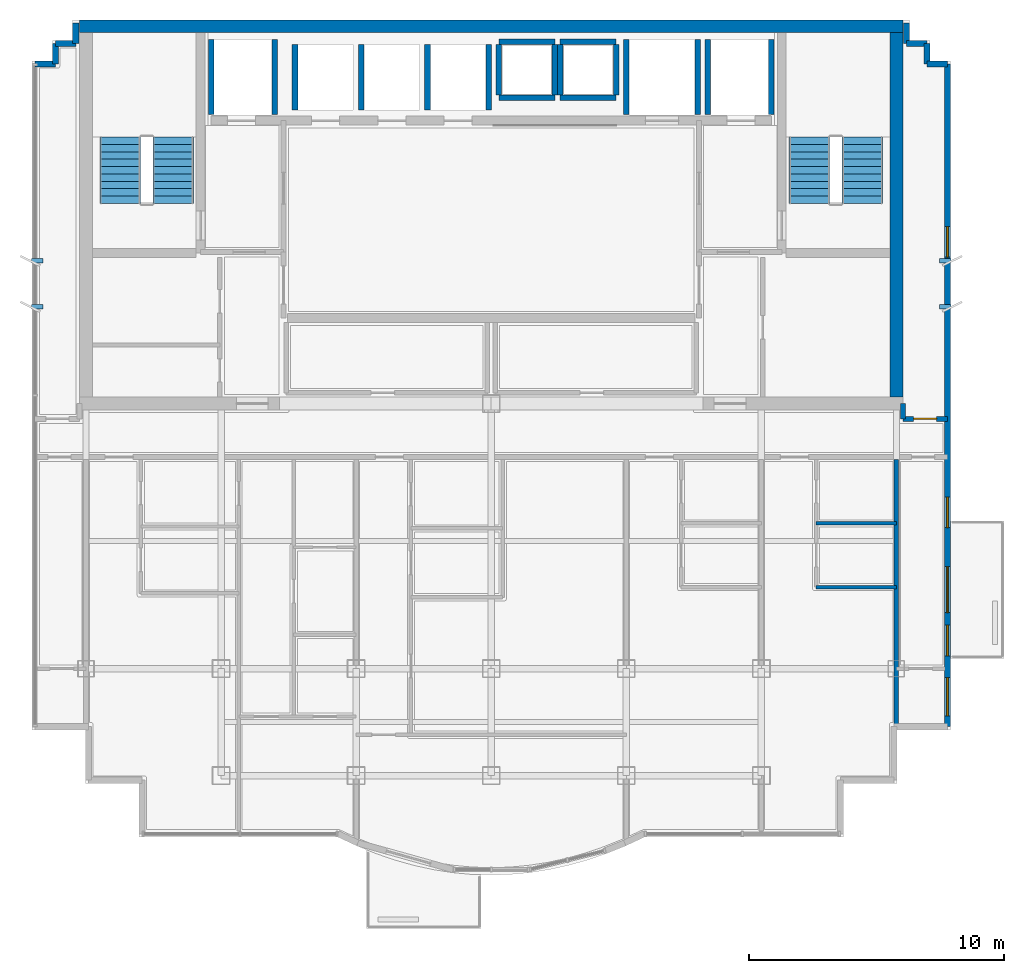
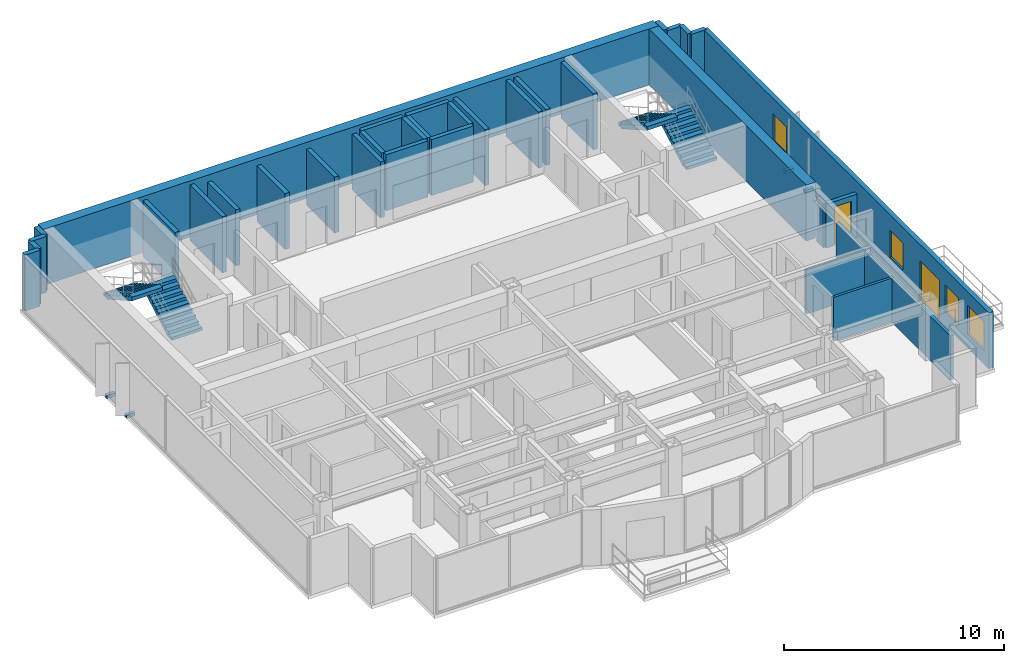
# One storey, part 7 of 9: 34 walls, 4 discrete accessories, 4 stair flights, 4 windows, 2 doors, 6 openings, 2 elements without a shape of their own.
"""IFC4 building model written with IfcOpenShell, lengths in metres."""

from ifc_helpers import new_model, si_unit, direction, frame, frame_2d, origin, origin_2d, place, context, subcontext, project, spatial, polyline, rectangle, outline, extrude, source, transform, mapped, material, layer, layer_set, type_object, element, fill, aggregate, save


model = new_model("IFC4")

# Units and contexts
model_context = context("Model", 3, precision=1e-05, world=origin(), true_north=direction((0.0, 1.0)))
body_context = subcontext(model_context, "Body", "Model", "MODEL_VIEW")
ifc_project = project(units=[si_unit("LENGTHUNIT", "METRE"), si_unit("AREAUNIT", "SQUARE_METRE"), si_unit("VOLUMEUNIT", "CUBIC_METRE"), si_unit("PLANEANGLEUNIT", "RADIAN"), si_unit("MASSUNIT", "GRAM", prefix="KILO")], contexts=[model_context])

# Site, building, storey
site_placement = place(None, origin())
site = spatial("IfcSite", under=ifc_project, at=site_placement, CompositionType="ELEMENT")
building_placement = place(site_placement, origin())
building = spatial("IfcBuilding", under=site, at=building_placement, Name="Qianlan Lanfeng Residences", CompositionType="ELEMENT")
storey_placement = place(building_placement, frame((0.0, 0.0, 246.199951171875)))
storey = spatial("IfcBuildingStorey", under=building, at=storey_placement, Name="L68", CompositionType="ELEMENT", Elevation=246.199951171875)

# Walls
ifc_material_1 = material(Name="Concrete C70", Category="concrete")
ifc_layer_1 = layer(ifc_material_1, 0.5)
ifc_layer_set_1 = layer_set([ifc_layer_1], Name="Concrete C70")
wall_type_1 = type_object("IfcWallType", Name="CW-RC-500", PredefinedType="SHEAR", material=ifc_layer_set_1)
wall_1_placement = place(storey_placement, frame((10.35009765625, 40.0, 0.0), z_axis=(0.0, 0.0, 1.0), x_axis=(1.0, 0.0, 0.0)))
element("IfcWall", 1, at=wall_1_placement, inside=storey, type_object=wall_type_1, Name="L68 Core Shear Wall N", PredefinedType="SHEAR", context=body_context, shape_type="SweptSolid", body=[
    extrude(rectangle(XDim=32.2998046875, YDim=0.5, at=frame_2d((16.14990234375, 0.0))), origin(), (0.0, 0.0, 1.0), 3.110107421875),
])
wall_2_placement = place(storey_placement, frame((42.39990234375, 25.449951171875, 0.0), z_axis=(0.0, 0.0, 1.0), x_axis=(0.0, 1.0, 0.0)))
element("IfcWall", 2, at=wall_2_placement, inside=storey, type_object=wall_type_1, Name="L68 Core Shear Wall E", PredefinedType="SHEAR", context=body_context, shape_type="SweptSolid", body=[
    extrude(rectangle(XDim=14.300048828125, YDim=0.5, at=frame_2d((7.14990234375, 0.0))), origin(), (0.0, 0.0, 1.0), 3.110107421875),
])

# Wall, openings, door, windows
ifc_material_2 = material(Name="Concrete C42", Category="concrete")
ifc_layer_2 = layer(ifc_material_2, 0.239990234375)
ifc_layer_set_2 = layer_set([ifc_layer_2], Name="Concrete C42")
wall_type_2 = type_object("IfcWallType", Name="EW-240", PredefinedType="SOLIDWALL", material=ifc_layer_set_2)
wall_3_placement = place(storey_placement, frame((44.39990234375, 12.52001953125, 0.0), z_axis=(0.0, 0.0, 1.0), x_axis=(0.0, 1.0, 0.0)))
wall_3 = element("IfcWall", 3, at=wall_3_placement, inside=storey, type_object=wall_type_2, Name="L68 Terrace/Balcony Access Exterior Wall 13", PredefinedType="SOLIDWALL", context=body_context, shape_type="SweptSolid", body=[
    extrude(rectangle(XDim=26.010009765625, YDim=0.239990234375, at=frame_2d((13.0048828125, 0.0))), origin(), (0.0, 0.0, 1.0), 3.110107421875),
])
opening_1_placement = place(wall_3_placement, frame((4.47998046875, 0.0, 0.0)))
opening_1 = element("IfcOpeningElement", 4, at=opening_1_placement, cuts=wall_3, Name="Opening L68-D-EB-S", PredefinedType="OPENING", context=body_context, shape_type="SweptSolid", body=[
    extrude(rectangle(XDim=1.800048828125, YDim=2.199951171875, at=frame_2d((0.89990234375, 1.10009765625))), frame((0.0, 0.1298828125, 0.0), z_axis=(0.0, -1.0, 0.0), x_axis=(1.0, 0.0, 0.0)), (0.0, 0.0, 1.0), 0.260009765625),
])
opening_2_placement = place(wall_3_placement, frame((0.426025390625, 0.0, 0.75)))
opening_2 = element("IfcOpeningElement", 5, at=opening_2_placement, cuts=wall_3, Name="Opening W-02", PredefinedType="OPENING", context=body_context, shape_type="SweptSolid", body=[
    extrude(rectangle(XDim=1.5, YDim=1.60009765625, at=frame_2d((0.75, 0.800048828125))), frame((0.0, 0.1298828125, 0.0), z_axis=(0.0, -1.0, 0.0), x_axis=(1.0, 0.0, 0.0)), (0.0, 0.0, 1.0), 0.260009765625),
])
opening_3_placement = place(wall_3_placement, frame((2.783935546875, 0.0, 0.75)))
opening_3 = element("IfcOpeningElement", 6, at=opening_3_placement, cuts=wall_3, Name="Opening W-03", PredefinedType="OPENING", context=body_context, shape_type="SweptSolid", body=[
    extrude(rectangle(XDim=1.199951171875, YDim=1.5, at=frame_2d((0.60009765625, 0.75))), frame((0.0, 0.1298828125, 0.0), z_axis=(0.0, -1.0, 0.0), x_axis=(1.0, 0.0, 0.0)), (0.0, 0.0, 1.0), 0.260009765625),
])
opening_4_placement = place(wall_3_placement, frame((7.81005859375, 0.0, 0.75)))
opening_4 = element("IfcOpeningElement", 7, at=opening_4_placement, cuts=wall_3, Name="Opening W-03", PredefinedType="OPENING", context=body_context, shape_type="SweptSolid", body=[
    extrude(rectangle(XDim=1.199951171875, YDim=1.5, at=frame_2d((0.60009765625, 0.75))), frame((0.0, 0.1298828125, 0.0), z_axis=(0.0, -1.0, 0.0), x_axis=(1.0, 0.0, 0.0)), (0.0, 0.0, 1.0), 0.260009765625),
])
opening_5_placement = place(wall_3_placement, frame((18.425048828125, 0.0, 0.75)))
opening_5 = element("IfcOpeningElement", 8, at=opening_5_placement, cuts=wall_3, Name="Opening W-03", PredefinedType="OPENING", context=body_context, shape_type="SweptSolid", body=[
    extrude(rectangle(XDim=1.199951171875, YDim=1.5, at=frame_2d((0.60009765625, 0.75))), frame((0.0, 0.1298828125, 0.0), z_axis=(0.0, -1.0, 0.0), x_axis=(1.0, 0.0, 0.0)), (0.0, 0.0, 1.0), 0.260009765625),
])
ifc_material_3 = material(Name="Anodised Bronze Aluminium Framed Glass", Category="aluminium")
door_type_1 = type_object("IfcDoorType", Name="DT-BAL1", OperationType="NOTDEFINED", PredefinedType="DOOR", material=ifc_material_3)
door_1_placement = place(opening_1_placement, frame((1.800048828125, 0.0, 0.0), z_axis=(0.0, 0.0, 1.0), x_axis=(-1.0, 0.0, 0.0)))
door_1 = element("IfcDoor", 9, at=door_1_placement, inside=storey, type_object=door_type_1, Name="L68 Exterior Access Door EB-S", OperationType="DOUBLE_DOOR_SLIDING", OverallHeight=2.199951171875, OverallWidth=1.800048828125, PredefinedType="DOOR", context=body_context, shape_type="SweptSolid", body=[
    extrude(rectangle(XDim=1.800048828125, YDim=2.199951171875, at=frame_2d((0.89990234375, 1.10009765625))), frame((0.0, 0.02490234375, 0.0), z_axis=(0.0, -1.0, 0.0), x_axis=(1.0, 0.0, 0.0)), (0.0, 0.0, 1.0), 0.050048828125),
])
fill(opening_1, door_1)
ifc_material_4 = material(Name="Anodised Bronze Aluminium Framed Double Glazing", Category="aluminium")
window_type_1 = type_object("IfcWindowType", Name="W-02", PartitioningType="SINGLE_PANEL", PredefinedType="WINDOW", material=ifc_material_4)
window_1_placement = place(opening_2_placement, origin())
window_1 = element("IfcWindow", 10, at=window_1_placement, inside=storey, type_object=window_type_1, Name="L68 Exterior Window W-06", OverallHeight=1.60009765625, OverallWidth=1.5, PartitioningType="SINGLE_PANEL", PredefinedType="WINDOW", context=body_context, shape_type="SweptSolid", body=[
    extrude(rectangle(XDim=1.5, YDim=1.60009765625, at=frame_2d((0.75, 0.800048828125))), frame((0.0, 0.030029296875, 0.0), z_axis=(0.0, -1.0, 0.0), x_axis=(1.0, 0.0, 0.0)), (0.0, 0.0, 1.0), 0.06005859375),
])
fill(opening_2, window_1)
window_type_2 = type_object("IfcWindowType", Name="W-03", PartitioningType="SINGLE_PANEL", PredefinedType="WINDOW", material=ifc_material_4)
window_2_placement = place(opening_3_placement, origin())
window_2 = element("IfcWindow", 11, at=window_2_placement, inside=storey, type_object=window_type_2, Name="L68 Facade Bay Window W-03", OverallHeight=1.5, OverallWidth=1.199951171875, PartitioningType="SINGLE_PANEL", PredefinedType="WINDOW", context=body_context, shape_type="SweptSolid", body=[
    extrude(rectangle(XDim=1.199951171875, YDim=1.5, at=frame_2d((0.60009765625, 0.75))), frame((0.0, 0.030029296875, 0.0), z_axis=(0.0, -1.0, 0.0), x_axis=(1.0, 0.0, 0.0)), (0.0, 0.0, 1.0), 0.06005859375),
])
fill(opening_3, window_2)
window_3_placement = place(opening_4_placement, origin())
window_3 = element("IfcWindow", 12, at=window_3_placement, inside=storey, type_object=window_type_2, Name="L68 Facade Bay Window W-03", OverallHeight=1.5, OverallWidth=1.199951171875, PartitioningType="SINGLE_PANEL", PredefinedType="WINDOW", context=body_context, shape_type="SweptSolid", body=[
    extrude(rectangle(XDim=1.199951171875, YDim=1.5, at=frame_2d((0.60009765625, 0.75))), frame((0.0, 0.030029296875, 0.0), z_axis=(0.0, -1.0, 0.0), x_axis=(1.0, 0.0, 0.0)), (0.0, 0.0, 1.0), 0.06005859375),
])
fill(opening_4, window_3)
window_4_placement = place(opening_5_placement, origin())
window_4 = element("IfcWindow", 13, at=window_4_placement, inside=storey, type_object=window_type_2, Name="L68 Facade Bay Window W-03", OverallHeight=1.5, OverallWidth=1.199951171875, PartitioningType="SINGLE_PANEL", PredefinedType="WINDOW", context=body_context, shape_type="SweptSolid", body=[
    extrude(rectangle(XDim=1.199951171875, YDim=1.5, at=frame_2d((0.60009765625, 0.75))), frame((0.0, 0.030029296875, 0.0), z_axis=(0.0, -1.0, 0.0), x_axis=(1.0, 0.0, 0.0)), (0.0, 0.0, 1.0), 0.06005859375),
])
fill(opening_5, window_4)

# Walls
wall_4_placement = place(storey_placement, frame((44.39990234375, 38.530029296875, 0.0), z_axis=(0.0, 0.0, 1.0), x_axis=(-1.0, 0.0, 0.0)))
element("IfcWall", 14, at=wall_4_placement, inside=storey, type_object=wall_type_2, Name="L68 Exterior Facade Spandrel Wall 14", PredefinedType="SOLIDWALL", context=body_context, shape_type="SweptSolid", body=[
    extrude(rectangle(XDim=0.7998046875, YDim=0.239990234375, at=frame_2d((0.39990234375, 0.0))), origin(), (0.0, 0.0, 1.0), 3.110107421875),
])
for number, where, z_axis, x_axis, name in (
    (15, (43.60009765625, 38.530029296875, 0.0), (0.0, 0.0, 1.0), (0.0, 1.0, 0.0), "L68 Exterior Facade Spandrel Wall 15"),
    (16, (43.60009765625, 39.330078125, 0.0), (0.0, 0.0, 1.0), (-1.0, 0.0, 0.0), "L68 Exterior Facade Spandrel Wall 16"),
):
    element("IfcWall", number, at=place(storey_placement, frame(where, z_axis=z_axis, x_axis=x_axis)), inside=storey, type_object=wall_type_2, Name=name, PredefinedType="SOLIDWALL", context=body_context, shape_type="SweptSolid", body=[
        extrude(rectangle(XDim=0.800048828125, YDim=0.239990234375, at=frame_2d((0.39990234375, 0.0))), origin(), (0.0, 0.0, 1.0), 3.110107421875),
    ])
for number, where, z_axis, x_axis, name in (
    (17, (42.800048828125, 39.330078125, 0.0), (0.0, 0.0, 1.0), (0.0, 1.0, 0.0), "L68 Exterior Facade Spandrel Wall 17"),
    (18, (10.199951171875, 40.1298828125, 0.0), (0.0, 0.0, 1.0), (0.0, -1.0, 0.0), "L68 Exterior Facade Spandrel Wall 18"),
):
    element("IfcWall", number, at=place(storey_placement, frame(where, z_axis=z_axis, x_axis=x_axis)), inside=storey, type_object=wall_type_2, Name=name, PredefinedType="SOLIDWALL", context=body_context, shape_type="SweptSolid", body=[
        extrude(rectangle(XDim=0.7998046875, YDim=0.239990234375, at=frame_2d((0.39990234375, 0.0))), origin(), (0.0, 0.0, 1.0), 3.110107421875),
    ])
for number, where, z_axis, x_axis, name in (
    (19, (10.199951171875, 39.330078125, 0.0), (0.0, 0.0, 1.0), (-1.0, 0.0, 0.0), "L68 Exterior Facade Spandrel Wall 19"),
    (20, (9.39990234375, 39.330078125, 0.0), (0.0, 0.0, 1.0), (0.0, -1.0, 0.0), "L68 Exterior Facade Spandrel Wall 20"),
):
    element("IfcWall", number, at=place(storey_placement, frame(where, z_axis=z_axis, x_axis=x_axis)), inside=storey, type_object=wall_type_2, Name=name, PredefinedType="SOLIDWALL", context=body_context, shape_type="SweptSolid", body=[
        extrude(rectangle(XDim=0.800048828125, YDim=0.239990234375, at=frame_2d((0.39990234375, 0.0))), origin(), (0.0, 0.0, 1.0), 3.110107421875),
    ])
wall_5_placement = place(storey_placement, frame((9.39990234375, 38.530029296875, 0.0), z_axis=(0.0, 0.0, 1.0), x_axis=(-1.0, 0.0, 0.0)))
element("IfcWall", 21, at=wall_5_placement, inside=storey, type_object=wall_type_2, Name="L68 Exterior Facade Spandrel Wall 21", PredefinedType="SOLIDWALL", context=body_context, shape_type="SweptSolid", body=[
    extrude(rectangle(XDim=0.7998046875, YDim=0.239990234375, at=frame_2d((0.39990234375, 0.0))), origin(), (0.0, 0.0, 1.0), 3.110107421875),
])
ifc_material_5 = material(Name="Moisture-Resistant Gypsum Partition 135 mm")
ifc_layer_3 = layer(ifc_material_5, 0.135009765625)
ifc_layer_set_3 = layer_set([ifc_layer_3], Name="Moisture-Resistant Gypsum Partition 135 mm")
wall_type_3 = type_object("IfcWallType", Name="PW-135", PredefinedType="PARTITIONING", material=ifc_layer_set_3)
for number, where, z_axis, x_axis, name in (
    (22, (39.25, 18.0, 0.0), (0.0, 0.0, 1.0), (1.0, 0.0, 0.0), "L68 U04 Kitchen South Wall"),
    (23, (39.25, 20.5, 0.0), (0.0, 0.0, 1.0), (1.0, 0.0, 0.0), "L68 U04 Bathroom South Wall"),
):
    element("IfcWall", number, at=place(storey_placement, frame(where, z_axis=z_axis, x_axis=x_axis)), inside=storey, type_object=wall_type_3, Name=name, PredefinedType="PARTITIONING", context=body_context, shape_type="SweptSolid", body=[
        extrude(rectangle(XDim=3.14990234375, YDim=0.135009765625, at=frame_2d((1.574951171875, 0.0))), origin(), (0.0, 0.0, 1.0), 2.449951171875),
    ])
ifc_material_6 = material(Name="Double-Layer Acoustic Gypsum Stud Wall 180 mm")
ifc_layer_4 = layer(ifc_material_6, 0.179931640625)
ifc_layer_set_4 = layer_set([ifc_layer_4], Name="Double-Layer Acoustic Gypsum Stud Wall 180 mm")
wall_type_4 = type_object("IfcWallType", Name="PW-180", PredefinedType="PARTITIONING", material=ifc_layer_set_4)
wall_6_placement = place(storey_placement, frame((42.39990234375, 12.6201171875, 0.0), z_axis=(0.0, 0.0, 1.0), x_axis=(0.0, 1.0, 0.0)))
element("IfcWall", 24, at=wall_6_placement, inside=storey, type_object=wall_type_4, Name="L68 Wing Boundary Party Wall E0", PredefinedType="PARTITIONING", context=body_context, shape_type="SweptSolid", body=[
    extrude(rectangle(XDim=10.3798828125, YDim=0.179931640625, at=frame_2d((5.18994140625, 0.0))), origin(), (0.0, 0.0, 1.0), 2.449951171875),
])

# Wall, opening, door
ifc_material_7 = material(Name="Autoclaved Aerated Concrete Blockwork 200 mm", Category="masonry")
ifc_layer_5 = layer(ifc_material_7, 0.199951171875)
ifc_layer_set_5 = layer_set([ifc_layer_5], Name="Autoclaved Aerated Concrete Blockwork 200 mm")
wall_type_5 = type_object("IfcWallType", Name="PW-200", PredefinedType="PARTITIONING", material=ifc_layer_set_5)
wall_7_placement = place(storey_placement, frame((42.64990234375, 24.60009765625, 0.0), z_axis=(0.0, 0.0, 1.0), x_axis=(1.0, 0.0, 0.0)))
wall_7 = element("IfcWall", 25, at=wall_7_placement, inside=storey, type_object=wall_type_5, Name="L68 Corridor NE Wall", PredefinedType="PARTITIONING", context=body_context, shape_type="SweptSolid", body=[
    extrude(rectangle(XDim=1.75, YDim=0.199951171875, at=frame_2d((0.875, 0.0))), origin(), (0.0, 0.0, 1.0), 2.449951171875),
])
opening_6_placement = place(wall_7_placement, frame((0.425048828125, 0.0, 0.0)))
opening_6 = element("IfcOpeningElement", 26, at=opening_6_placement, cuts=wall_7, Name="Opening L68-D40", PredefinedType="OPENING", context=body_context, shape_type="SweptSolid", body=[
    extrude(rectangle(XDim=0.89990234375, YDim=2.14990234375, at=frame_2d((0.449951171875, 1.074951171875))), frame((0.0, 0.10986328125, 0.0), z_axis=(0.0, -1.0, 0.0), x_axis=(1.0, 0.0, 0.0)), (0.0, 0.0, 1.0), 0.219970703125),
])
ifc_material_8 = material(Name="Moisture-Resistant Timber Leaf", Category="wood")
door_type_2 = type_object("IfcDoorType", Name="DT-WC", OperationType="NOTDEFINED", PredefinedType="DOOR", material=ifc_material_8)
door_2_placement = place(opening_6_placement, frame((0.89990234375, 0.0, 0.0), z_axis=(0.0, 0.0, 1.0), x_axis=(-1.0, 0.0, 0.0)))
door_2 = element("IfcDoor", 27, at=door_2_placement, inside=storey, type_object=door_type_2, Name="L68 EW Amenity Salon Door L68-D40 (DT-WC)", OperationType="SINGLE_SWING_LEFT", OverallHeight=2.14990234375, OverallWidth=0.89990234375, PredefinedType="DOOR", context=body_context, shape_type="SweptSolid", body=[
    extrude(rectangle(XDim=0.89990234375, YDim=2.14990234375, at=frame_2d((0.449951171875, 1.074951171875))), frame((0.0, 0.02490234375, 0.0), z_axis=(0.0, -1.0, 0.0), x_axis=(1.0, 0.0, 0.0)), (0.0, 0.0, 1.0), 0.050048828125),
])
fill(opening_6, door_2)

# Walls
wall_8_placement = place(storey_placement, frame((42.64990234375, 24.60009765625, 0.0), z_axis=(0.0, 0.0, 1.0), x_axis=(0.0, 1.0, 0.0)))
element("IfcWall", 28, at=wall_8_placement, inside=storey, type_object=wall_type_5, Name="L68 NE Wing Core Return Wall", PredefinedType="PARTITIONING", context=body_context, shape_type="SweptSolid", body=[
    extrude(rectangle(XDim=0.599853515625, YDim=0.199951171875, at=frame_2d((0.2998046875, 0.0))), origin(), (0.0, 0.0, 1.0), 2.449951171875),
])
ifc_material_9 = material(Name="Concrete C49", Category="concrete")
ifc_layer_6 = layer(ifc_material_9, 0.219970703125)
ifc_layer_set_6 = layer_set([ifc_layer_6], Name="Concrete C49")
wall_type_6 = type_object("IfcWallType", Name="SHW-220", PredefinedType="SOLIDWALL", material=ifc_layer_set_6)
for number, where, z_axis, x_axis, name in (
    (29, (15.52001953125, 36.550048828125, 0.0), (0.0, 0.0, 1.0), (0.0, 1.0, 0.0), "L68 Lift FFL-1 Shaft Wall W"),
    (30, (18.0, 36.550048828125, 0.0), (0.0, 0.0, 1.0), (0.0, 1.0, 0.0), "L68 Lift FFL-1 Shaft Wall E"),
    (31, (35.0, 36.550048828125, 0.0), (0.0, 0.0, 1.0), (0.0, 1.0, 0.0), "L68 Lift FFL-2 Shaft Wall W"),
    (32, (37.47998046875, 36.550048828125, 0.0), (0.0, 0.0, 1.0), (0.0, 1.0, 0.0), "L68 Lift FFL-2 Shaft Wall E"),
    (33, (31.800048828125, 36.550048828125, 0.0), (0.0, 0.0, 1.0), (0.0, 1.0, 0.0), "L68 Lift SVL-1 Shaft Wall W"),
    (34, (34.60009765625, 36.550048828125, 0.0), (0.0, 0.0, 1.0), (0.0, 1.0, 0.0), "L68 Lift SVL-1 Shaft Wall E"),
):
    element("IfcWall", number, at=place(storey_placement, frame(where, z_axis=z_axis, x_axis=x_axis)), inside=storey, type_object=wall_type_6, Name=name, PredefinedType="SOLIDWALL", context=body_context, shape_type="SweptSolid", body=[
        extrude(rectangle(XDim=2.929931640625, YDim=0.219970703125, at=frame_2d((1.46484375, 0.0))), origin(), (0.0, 0.0, 1.0), 3.110107421875),
    ])
for number, where, z_axis, x_axis, name in (
    (35, (18.800048828125, 36.719970703125, 0.0), (0.0, 0.0, 1.0), (0.0, 1.0, 0.0), "L68 Lift PL-H1 Shaft Wall W"),
    (36, (21.39990234375, 36.719970703125, 0.0), (0.0, 0.0, 1.0), (0.0, 1.0, 0.0), "L68 Lift PL-H2 Shaft Wall W"),
    (37, (24.0, 36.719970703125, 0.0), (0.0, 0.0, 1.0), (0.0, 1.0, 0.0), "L68 Lift PL-H3 Shaft Wall W"),
    (38, (26.39990234375, 36.719970703125, 0.0), (0.0, 0.0, 1.0), (0.0, 1.0, 0.0), "L68 Lift PL-H3 Shaft Wall E"),
):
    element("IfcWall", number, at=place(storey_placement, frame(where, z_axis=z_axis, x_axis=x_axis)), inside=storey, type_object=wall_type_6, Name=name, PredefinedType="SOLIDWALL", context=body_context, shape_type="SweptSolid", body=[
        extrude(rectangle(XDim=2.56005859375, YDim=0.219970703125, at=frame_2d((1.280029296875, 0.0))), origin(), (0.0, 0.0, 1.0), 3.110107421875),
    ])
for number, where, z_axis, x_axis, name in (
    (39, (26.800048828125, 37.31005859375, 0.0), (0.0, 0.0, 1.0), (0.0, 1.0, 0.0), "L68 MEP Riser MEP-R1 Shaft Wall W"),
    (40, (29.0, 37.31005859375, 0.0), (0.0, 0.0, 1.0), (0.0, 1.0, 0.0), "L68 MEP Riser MEP-R1 Shaft Wall E"),
):
    element("IfcWall", number, at=place(storey_placement, frame(where, z_axis=z_axis, x_axis=x_axis)), inside=storey, type_object=wall_type_6, Name=name, PredefinedType="SOLIDWALL", context=body_context, shape_type="SweptSolid", body=[
        extrude(rectangle(XDim=1.97998046875, YDim=0.219970703125, at=frame_2d((0.989990234375, 0.0))), origin(), (0.0, 0.0, 1.0), 3.110107421875),
    ])
for number, where, z_axis, x_axis, name in (
    (41, (26.800048828125, 39.39990234375, 0.0), (0.0, 0.0, 1.0), (1.0, 0.0, 0.0), "L68 MEP Riser MEP-R1 Shaft Wall N"),
    (42, (26.800048828125, 37.199951171875, 0.0), (0.0, 0.0, 1.0), (1.0, 0.0, 0.0), "L68 MEP Riser MEP-R1 Shaft Wall S"),
):
    element("IfcWall", number, at=place(storey_placement, frame(where, z_axis=z_axis, x_axis=x_axis)), inside=storey, type_object=wall_type_6, Name=name, PredefinedType="SOLIDWALL", context=body_context, shape_type="SweptSolid", body=[
        extrude(rectangle(XDim=2.199951171875, YDim=0.219970703125, at=frame_2d((1.10009765625, 0.0))), origin(), (0.0, 0.0, 1.0), 3.110107421875),
    ])
for number, where, z_axis, x_axis, name in (
    (43, (29.199951171875, 37.31005859375, 0.0), (0.0, 0.0, 1.0), (0.0, 1.0, 0.0), "L68 MEP Riser MEP-R2 Shaft Wall W"),
    (44, (31.39990234375, 37.31005859375, 0.0), (0.0, 0.0, 1.0), (0.0, 1.0, 0.0), "L68 MEP Riser MEP-R2 Shaft Wall E"),
):
    element("IfcWall", number, at=place(storey_placement, frame(where, z_axis=z_axis, x_axis=x_axis)), inside=storey, type_object=wall_type_6, Name=name, PredefinedType="SOLIDWALL", context=body_context, shape_type="SweptSolid", body=[
        extrude(rectangle(XDim=1.97998046875, YDim=0.219970703125, at=frame_2d((0.989990234375, 0.0))), origin(), (0.0, 0.0, 1.0), 3.110107421875),
    ])
for number, where, z_axis, x_axis, name in (
    (45, (29.199951171875, 39.39990234375, 0.0), (0.0, 0.0, 1.0), (1.0, 0.0, 0.0), "L68 MEP Riser MEP-R2 Shaft Wall N"),
    (46, (29.199951171875, 37.199951171875, 0.0), (0.0, 0.0, 1.0), (1.0, 0.0, 0.0), "L68 MEP Riser MEP-R2 Shaft Wall S"),
):
    element("IfcWall", number, at=place(storey_placement, frame(where, z_axis=z_axis, x_axis=x_axis)), inside=storey, type_object=wall_type_6, Name=name, PredefinedType="SOLIDWALL", context=body_context, shape_type="SweptSolid", body=[
        extrude(rectangle(XDim=2.199951171875, YDim=0.219970703125, at=frame_2d((1.10009765625, 0.0))), origin(), (0.0, 0.0, 1.0), 3.110107421875),
    ])

# Stair, stair flights
stair_type = type_object("IfcStairType", Name="STR-MAIN", PredefinedType="HALF_TURN_STAIR", material=ifc_material_2)
stair_1_placement = place(storey_placement, origin())
stair_1 = element("IfcStair", 47, at=stair_1_placement, inside=storey, type_object=stair_type, Name="L68 Exit Stair ST-1", PredefinedType="HALF_TURN_STAIR")
stair_flight_type = type_object("IfcStairFlightType", Name="FLT-1720", PredefinedType="STRAIGHT", material=ifc_material_2)
stair_flight_1_placement = place(storey_placement, frame((14.02001953125, 33.050048828125, 0.0), z_axis=(0.0, 0.0, 1.0), x_axis=(0.0, 1.0, 0.0)))
stair_flight_1 = element("IfcStairFlight", 48, at=stair_flight_1_placement, type_object=stair_flight_type, Name="ST-1 flight 1", NumberOfRisers=10, NumberOfTreads=9, PredefinedType="STRAIGHT", RiserHeight=0.165, TreadLength=0.29, context=body_context, shape_type="SweptSolid", body=[
    extrude(outline(polyline([(0.0, 0.0), (0.0, 0.1650390625), (0.2900390625, 0.1650390625), (0.2900390625, 0.330078125), (0.580078125, 0.330078125), (0.580078125, 0.4951171875), (0.8701171875, 0.4951171875), (0.8701171875, 0.659912109375), (1.159912109375, 0.659912109375), (1.159912109375, 0.824951171875), (1.449951171875, 0.824951171875), (1.449951171875, 0.989990234375), (1.739990234375, 0.989990234375), (1.739990234375, 1.155029296875), (2.030029296875, 1.155029296875), (2.030029296875, 1.320068359375), (2.320068359375, 1.320068359375), (2.320068359375, 1.485107421875), (2.610107421875, 1.485107421875), (2.610107421875, 1.64990234375), (2.610107421875, 1.278076171875), (0.36376953125, 0.0), (0.0, 0.0)])), frame((0.0, 0.800048828125, 0.0), z_axis=(0.0, -1.0, 0.0), x_axis=(1.0, 0.0, 0.0)), (0.0, 0.0, 1.0), 1.60009765625),
])
stair_flight_2_placement = place(storey_placement, frame((11.93994140625, 35.659912109375, 1.650146484375), z_axis=(0.0, 0.0, 1.0), x_axis=(0.0, -1.0, 0.0)))
stair_flight_2 = element("IfcStairFlight", 49, at=stair_flight_2_placement, type_object=stair_flight_type, Name="ST-1 flight 2", NumberOfRisers=10, NumberOfTreads=9, PredefinedType="STRAIGHT", RiserHeight=0.165, TreadLength=0.29, context=body_context, shape_type="SweptSolid", body=[
    extrude(outline(polyline([(0.0, 0.0), (0.0, 0.1650390625), (0.2900390625, 0.1650390625), (0.2900390625, 0.330078125), (0.580078125, 0.330078125), (0.580078125, 0.4951171875), (0.8701171875, 0.4951171875), (0.8701171875, 0.659912109375), (1.159912109375, 0.659912109375), (1.159912109375, 0.824951171875), (1.449951171875, 0.824951171875), (1.449951171875, 0.989990234375), (1.739990234375, 0.989990234375), (1.739990234375, 1.155029296875), (2.030029296875, 1.155029296875), (2.030029296875, 1.320068359375), (2.320068359375, 1.320068359375), (2.320068359375, 1.485107421875), (2.610107421875, 1.485107421875), (2.610107421875, 1.64990234375), (2.610107421875, 1.278076171875), (0.36376953125, 0.0), (0.0, 0.0)])), frame((0.0, 0.800048828125, 0.0), z_axis=(0.0, -1.0, 0.0), x_axis=(1.0, 0.0, 0.0)), (0.0, 0.0, 1.0), 1.60009765625),
])
aggregate(stair_1, [stair_flight_1, stair_flight_2])

stair_2_placement = place(storey_placement, origin())
stair_2 = element("IfcStair", 50, at=stair_2_placement, inside=storey, type_object=stair_type, Name="L68 Exit Stair ST-2", PredefinedType="HALF_TURN_STAIR")
stair_flight_3_placement = place(storey_placement, frame((41.06005859375, 33.050048828125, 0.0), z_axis=(0.0, 0.0, 1.0), x_axis=(0.0, 1.0, 0.0)))
stair_flight_3 = element("IfcStairFlight", 51, at=stair_flight_3_placement, type_object=stair_flight_type, Name="ST-2 flight 1", NumberOfRisers=10, NumberOfTreads=9, PredefinedType="STRAIGHT", RiserHeight=0.165, TreadLength=0.29, context=body_context, shape_type="SweptSolid", body=[
    extrude(outline(polyline([(0.0, 0.0), (0.0, 0.1650390625), (0.2900390625, 0.1650390625), (0.2900390625, 0.330078125), (0.580078125, 0.330078125), (0.580078125, 0.4951171875), (0.8701171875, 0.4951171875), (0.8701171875, 0.659912109375), (1.159912109375, 0.659912109375), (1.159912109375, 0.824951171875), (1.449951171875, 0.824951171875), (1.449951171875, 0.989990234375), (1.739990234375, 0.989990234375), (1.739990234375, 1.155029296875), (2.030029296875, 1.155029296875), (2.030029296875, 1.320068359375), (2.320068359375, 1.320068359375), (2.320068359375, 1.485107421875), (2.610107421875, 1.485107421875), (2.610107421875, 1.64990234375), (2.610107421875, 1.278076171875), (0.36376953125, 0.0), (0.0, 0.0)])), frame((0.0, 0.800048828125, 0.0), z_axis=(0.0, -1.0, 0.0), x_axis=(1.0, 0.0, 0.0)), (0.0, 0.0, 1.0), 1.60009765625),
])
stair_flight_4_placement = place(storey_placement, frame((38.97998046875, 35.659912109375, 1.650146484375), z_axis=(0.0, 0.0, 1.0), x_axis=(0.0, -1.0, 0.0)))
stair_flight_4 = element("IfcStairFlight", 52, at=stair_flight_4_placement, type_object=stair_flight_type, Name="ST-2 flight 2", NumberOfRisers=10, NumberOfTreads=9, PredefinedType="STRAIGHT", RiserHeight=0.165, TreadLength=0.29, context=body_context, shape_type="SweptSolid", body=[
    extrude(outline(polyline([(0.0, 0.0), (0.0, 0.1650390625), (0.2900390625, 0.1650390625), (0.2900390625, 0.330078125), (0.580078125, 0.330078125), (0.580078125, 0.4951171875), (0.8701171875, 0.4951171875), (0.8701171875, 0.659912109375), (1.159912109375, 0.659912109375), (1.159912109375, 0.824951171875), (1.449951171875, 0.824951171875), (1.449951171875, 0.989990234375), (1.739990234375, 0.989990234375), (1.739990234375, 1.155029296875), (2.030029296875, 1.155029296875), (2.030029296875, 1.320068359375), (2.320068359375, 1.320068359375), (2.320068359375, 1.485107421875), (2.610107421875, 1.485107421875), (2.610107421875, 1.64990234375), (2.610107421875, 1.278076171875), (0.36376953125, 0.0), (0.0, 0.0)])), frame((0.0, 0.800048828125, 0.0), z_axis=(0.0, -1.0, 0.0), x_axis=(1.0, 0.0, 0.0)), (0.0, 0.0, 1.0), 1.60009765625),
])
aggregate(stair_2, [stair_flight_3, stair_flight_4])

# Discrete accessories
ifc_material_10 = material(Name="Stainless Steel Facade Bracket", Category="steel")
discrete_accessory_type = type_object("IfcDiscreteAccessoryType", Name="BRK-SS-350", PredefinedType="BRACKET", material=ifc_material_10)
shared_shape = source(origin(), body_context, "Body", "SweptSolid", [
    extrude(rectangle(XDim=0.449951171875, YDim=0.179931640625, at=origin_2d()), origin(), (0.0, 0.0, 1.0), 0.179931640625),
])
for number, where, z_axis, x_axis, name in (
    (53, (8.679931640625, 29.0, -0.14990234375), (0.0, 0.0, 1.0), (1.0, 0.0, 0.0), "L68 Raked Solar Fin Support Bracket W1"),
    (54, (8.679931640625, 30.800048828125, -0.14990234375), (0.0, 0.0, 1.0), (1.0, 0.0, 0.0), "L68 Raked Solar Fin Support Bracket W2"),
    (55, (44.320068359375, 29.0, -0.14990234375), (0.0, 0.0, 1.0), (1.0, 0.0, 0.0), "L68 Raked Solar Fin Support Bracket E1"),
    (56, (44.320068359375, 30.800048828125, -0.14990234375), (0.0, 0.0, 1.0), (1.0, 0.0, 0.0), "L68 Raked Solar Fin Support Bracket E2"),
):
    element("IfcDiscreteAccessory", number, at=place(storey_placement, frame(where, z_axis=z_axis, x_axis=x_axis)), inside=storey, type_object=discrete_accessory_type, Name=name, PredefinedType="BRACKET", context=body_context, shape_type="MappedRepresentation", body=[
        mapped(shared_shape, transform((0.0, 0.0, 0.0), scale=1.0)),
    ])

save(model, "model.ifc")
